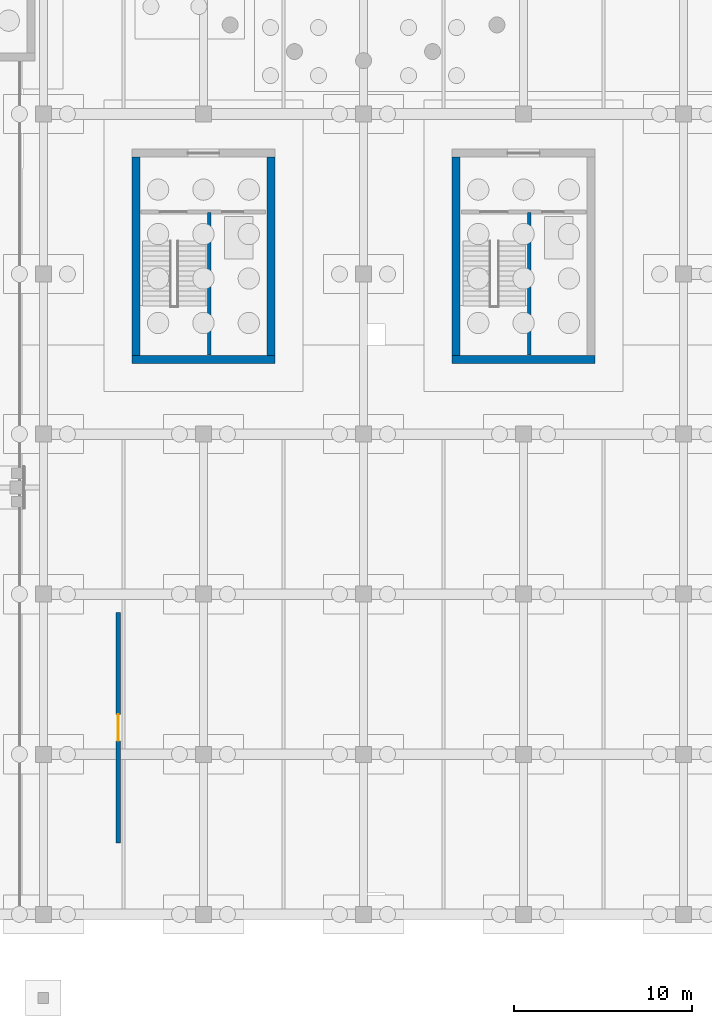
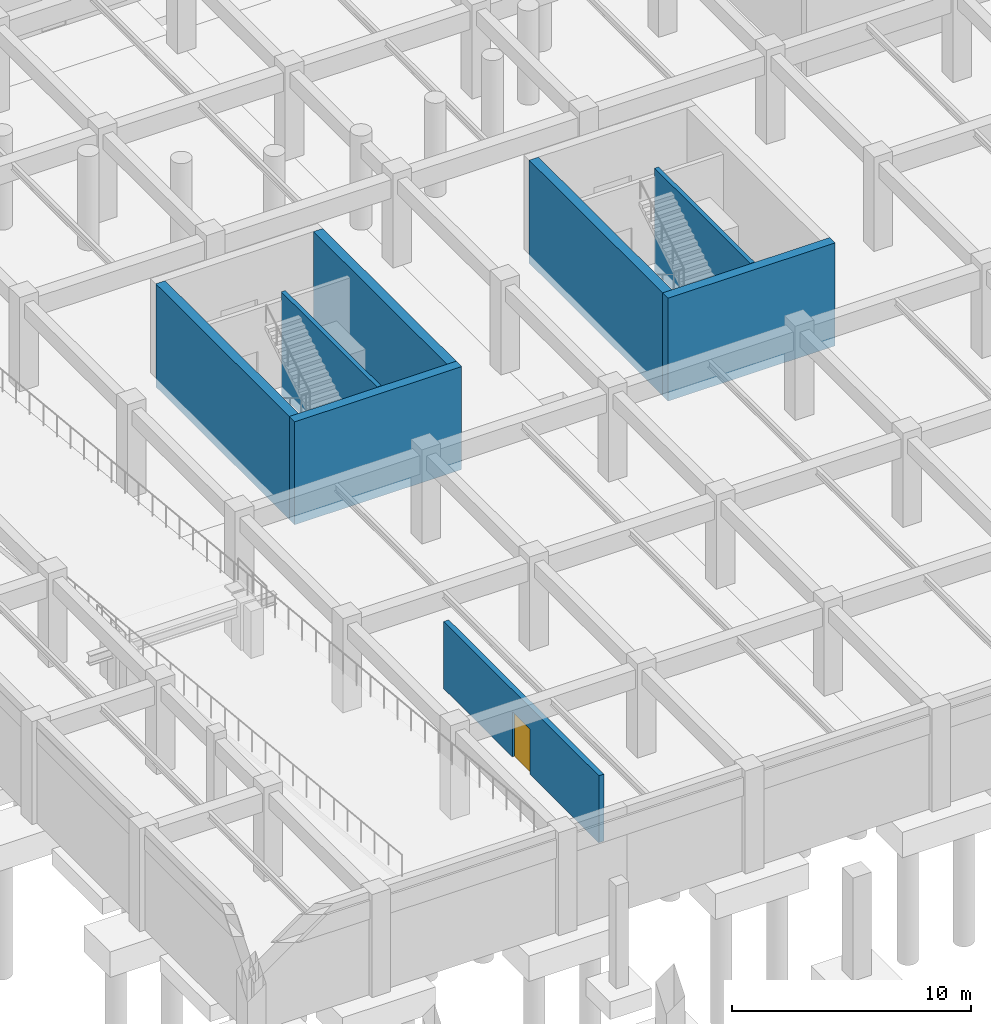
# One storey, part 16 of 27: 8 walls, 1 door, 1 opening.
"""IFC4 building model written with IfcOpenShell, lengths in metres."""

import ifcopenshell
import ifcopenshell.guid

model = None  # the IFC model being written
_history = None  # IfcOwnerHistory: only IFC2X3 demands one
_inside = {}  # id of a spatial element -> (the spatial element, [elements in it])
_under = {}  # id of a project, library or spatial element -> (it, [spatial elements below it])
_declared = {}  # id of a project -> (the project, [libraries it declares])
_typed = {}  # id of a type object -> (the type object, [elements of that type])
_made_of = {}  # id of a material, layer set ... -> (it, [elements and type objects made of it])


def new_model(schema):
    """Start an empty IFC model of exactly this schema.

    Asked for "IFC4X3", IfcOpenShell would pick the latest addendum, in which some entities
    have other attributes; the version numbers below select the first issue.
    IFC2X3 requires an IfcOwnerHistory on every rooted entity: one is made here for all.
    """
    global model, _history
    if schema == "IFC4X3":
        model = ifcopenshell.file(schema_version=(4, 3, 0, 0))
    else:
        model = ifcopenshell.file(schema=schema)
    _inside.clear()
    _under.clear()
    _declared.clear()
    _typed.clear()
    _made_of.clear()
    _history = None
    if model.schema == "IFC2X3":
        org = make("IfcOrganization", Name="unknown")
        user = make(
            "IfcPersonAndOrganization",
            ThePerson=make("IfcPerson", FamilyName="unknown"),
            TheOrganization=org,
        )
        app = make(
            "IfcApplication",
            ApplicationDeveloper=org,
            Version="unknown",
            ApplicationFullName="unknown",
            ApplicationIdentifier="unknown",
        )
        _history = make(
            "IfcOwnerHistory",
            OwningUser=user,
            OwningApplication=app,
            ChangeAction="ADDED",
            CreationDate=0,
        )
    return model


def make(cls, **values):
    """One entity of the class cls with the attributes given. An attribute that is None is left unset."""
    return model.create_entity(
        cls, **{name: value for name, value in values.items() if value is not None}
    )


def rooted(cls, **values):
    """An entity with a GlobalId (a new one), such as an element, a storey or a relation."""
    return make(cls, GlobalId=ifcopenshell.guid.new(), OwnerHistory=_history, **values)


def si_unit(unit_type, name, prefix=None):
    """IfcSIUnit, for example si_unit("LENGTHUNIT", "METRE", prefix="MILLI")."""
    return make("IfcSIUnit", UnitType=unit_type, Prefix=prefix, Name=name)


def assignment(units):
    """IfcUnitAssignment: the units of a project."""
    return None if units is None else make("IfcUnitAssignment", Units=units)


def point(xyz):
    """IfcCartesianPoint."""
    return None if xyz is None else make("IfcCartesianPoint", Coordinates=xyz)


def direction(xyz):
    """IfcDirection."""
    return None if xyz is None else make("IfcDirection", DirectionRatios=xyz)


def frame(location, z_axis=None, x_axis=None):
    """IfcAxis2Placement3D, a coordinate frame: its origin and axes. An axis left out is left unset."""
    return make(
        "IfcAxis2Placement3D",
        Location=point(location),
        Axis=direction(z_axis),
        RefDirection=direction(x_axis),
    )


def frame_2d(location, x_axis=None):
    """IfcAxis2Placement2D, a coordinate frame in the plane: its origin and x axis."""
    return make(
        "IfcAxis2Placement2D", Location=point(location), RefDirection=direction(x_axis)
    )


def origin():
    """The frame at (0, 0, 0) with its axes left unset."""
    return frame((0.0, 0.0, 0.0))


def place(relative_to, where):
    """IfcLocalPlacement: puts the frame where relative to a parent placement (None: the world)."""
    return make(
        "IfcLocalPlacement", PlacementRelTo=relative_to, RelativePlacement=where
    )


def context(
    kind, dimensions, precision=None, world=None, true_north=None, identifier=None
):
    """IfcGeometricRepresentationContext, for example the 3D "Model" context."""
    return make(
        "IfcGeometricRepresentationContext",
        ContextIdentifier=identifier,
        ContextType=kind,
        CoordinateSpaceDimension=dimensions,
        Precision=precision,
        WorldCoordinateSystem=world,
        TrueNorth=true_north,
    )


def subcontext(parent, identifier, kind, view, scale=None):
    """IfcGeometricRepresentationSubContext, for example "Body" below "Model"."""
    return make(
        "IfcGeometricRepresentationSubContext",
        ContextIdentifier=identifier,
        ContextType=kind,
        ParentContext=parent,
        TargetScale=scale,
        TargetView=view,
    )


def project(units=None, contexts=None):
    """IfcProject with its units and contexts."""
    return rooted(
        "IfcProject",
        Name="project",
        RepresentationContexts=contexts,
        UnitsInContext=assignment(units),
    )


def spatial(cls, under=None, at=None, **own):
    """A site, building, storey or space (cls), placed at a placement, below another one or the project."""
    s = rooted(cls, ObjectPlacement=at, **own)
    if under is not None:
        _under.setdefault(under.id(), (under, []))[1].append(s)
    return s


def profile(cls, at=None, kind="AREA", **sizes):
    """A parametric profile (cls). Its sizes go by their IFC names, for example OverallWidth=200.0."""
    return make(cls, ProfileType=kind, Position=at, **sizes)


def rectangle(**sizes):
    """IfcRectangleProfileDef."""
    return profile("IfcRectangleProfileDef", **sizes)


def extrude(swept, where, along, depth):
    """IfcExtrudedAreaSolid: the profile swept, set in the frame where, extruded along a direction by depth."""
    return make(
        "IfcExtrudedAreaSolid",
        SweptArea=swept,
        Position=where,
        ExtrudedDirection=direction(along),
        Depth=depth,
    )


def shape(context_of_items, identifier, shape_type, items):
    """IfcShapeRepresentation: the items that make up one representation, for example the "Body"."""
    return make(
        "IfcShapeRepresentation",
        ContextOfItems=context_of_items,
        RepresentationIdentifier=identifier,
        RepresentationType=shape_type,
        Items=items,
    )


def material(Name=None, Category=None):
    """IfcMaterial."""
    return make("IfcMaterial", Name=Name, Category=Category)


def layer(
    of_material, thickness, ventilated=None, Name=None, Category=None, Priority=None
):
    """IfcMaterialLayer: one layer of a wall or slab, of a material (None: an air gap)."""
    return make(
        "IfcMaterialLayer",
        Material=of_material,
        LayerThickness=thickness,
        IsVentilated=ventilated,
        Name=Name,
        Category=Category,
        Priority=Priority,
    )


def layer_set(layers, Name=None):
    """IfcMaterialLayerSet."""
    return make("IfcMaterialLayerSet", MaterialLayers=layers, LayerSetName=Name)


def made_of(thing, what):
    """Note that an element or type object is made of a material, layer set ...; save() writes the relation."""
    if what is not None:
        _made_of.setdefault(what.id(), (what, []))[1].append(thing)
    return thing


def type_object(cls, material=None, **own):
    """A type object (cls), such as IfcWallType, which elements share."""
    return made_of(rooted(cls, **own), material)


def element(
    cls,
    number,
    at=None,
    inside=None,
    cuts=None,
    type_object=None,
    material=None,
    context=None,
    identifier="Body",
    shape_type=None,
    held_by="IfcProductDefinitionShape",
    body=None,
    shapes=None,
    **own,
):
    """One element of the class cls, such as IfcWall. Its Tag is "e" and its number.

    at: its placement. inside: the storey or other place that contains it. cuts: it is an
    opening in that element (IfcRelVoidsElement). A single representation is given by context,
    identifier, shape_type and body (its items); several are given by shapes. held_by: the class
    of the entity that holds the representations. save() writes the other relations.
    """
    e = rooted(cls, Tag="e%d" % number, ObjectPlacement=at, **own)
    if body is not None:
        shapes = [shape(context, identifier, shape_type, body)]
    if shapes is not None:
        e.Representation = make(held_by, Representations=shapes)
    if inside is not None:
        _inside.setdefault(inside.id(), (inside, []))[1].append(e)
    if cuts is not None:
        rooted(
            "IfcRelVoidsElement", RelatingBuildingElement=cuts, RelatedOpeningElement=e
        )
    if type_object is not None:
        _typed.setdefault(type_object.id(), (type_object, []))[1].append(e)
    return made_of(e, material)


def fill(opening, filler):
    """IfcRelFillsElement: the door or window that sits in an opening."""
    return rooted(
        "IfcRelFillsElement",
        RelatingOpeningElement=opening,
        RelatedBuildingElement=filler,
    )


def aggregate(whole, parts):
    """IfcRelAggregates: a whole, such as a stair, and the parts it consists of."""
    return rooted("IfcRelAggregates", RelatingObject=whole, RelatedObjects=parts)


def save(model, path):
    """Write the relations noted so far, then the file.

    IfcRelAggregates (storeys below a building ...), IfcRelContainedInSpatialStructure (elements
    in a storey), IfcRelDefinesByType, IfcRelAssociatesMaterial and IfcRelDeclares: one each for
    every whole, place, type object, material and project.
    """
    for whole, parts in _under.values():
        aggregate(whole, parts)
    for where, things in _inside.values():
        rooted(
            "IfcRelContainedInSpatialStructure",
            RelatedElements=things,
            RelatingStructure=where,
        )
    for kind, things in _typed.values():
        rooted("IfcRelDefinesByType", RelatedObjects=things, RelatingType=kind)
    for what, things in _made_of.values():
        rooted("IfcRelAssociatesMaterial", RelatedObjects=things, RelatingMaterial=what)
    for by, libraries in _declared.values():
        rooted("IfcRelDeclares", RelatingContext=by, RelatedDefinitions=libraries)
    model.write(path)


model = new_model("IFC4")

# Units and contexts
model_context = context("Model", 3, precision=1e-05, world=origin(), true_north=direction((0.0, 1.0)))
body_context = subcontext(model_context, "Body", "Model", "MODEL_VIEW")
ifc_project = project(units=[si_unit("LENGTHUNIT", "METRE"), si_unit("AREAUNIT", "SQUARE_METRE"), si_unit("VOLUMEUNIT", "CUBIC_METRE"), si_unit("PLANEANGLEUNIT", "RADIAN"), si_unit("MASSUNIT", "GRAM", prefix="KILO")], contexts=[model_context])

# Site, building, storey
site_placement = place(None, origin())
site = spatial("IfcSite", under=ifc_project, at=site_placement, CompositionType="ELEMENT")
building_placement = place(site_placement, origin())
building = spatial("IfcBuilding", under=site, at=building_placement, Name="Dornveld Trade and Exhibition Forum", CompositionType="ELEMENT")
storey_placement = place(building_placement, frame((0.0, 0.0, -4.800048828125)))
storey = spatial("IfcBuildingStorey", under=building, at=storey_placement, Name="B1", CompositionType="ELEMENT", Elevation=-4.800048828125)

# Walls
ifc_material_1 = material(Name="Concrete C40/50", Category="concrete")
ifc_layer_1 = layer(ifc_material_1, 0.449951171875)
ifc_layer_set_1 = layer_set([ifc_layer_1], Name="Concrete C40/50")
wall_type_1 = type_object("IfcWallType", Name="WL-CORE-450", PredefinedType="SHEAR", material=ifc_layer_set_1)
wall_1_placement = place(storey_placement, frame((103.97509765625, 49.199951171875, -0.449951171875), z_axis=(0.0, 0.0, 1.0), x_axis=(1.0, 0.0, 0.0)))
element("IfcWall", 1, at=wall_1_placement, inside=storey, type_object=wall_type_1, Name="CORE-06 B1 shear wall S", PredefinedType="SHEAR", context=body_context, shape_type="SweptSolid", body=[
    extrude(rectangle(XDim=8.0498046875, YDim=0.449951171875, at=frame_2d((4.02490234375, 0.0))), origin(), (0.0, 0.0, 1.0), 5.25),
])
for number, where, z_axis, x_axis, name in (
    (2, (104.199951171875, 49.425048828125, -0.449951171875), (0.0, 0.0, 1.0), (0.0, 1.0, 0.0), "CORE-06 B1 shear wall W"),
    (3, (111.800048828125, 49.425048828125, -0.449951171875), (0.0, 0.0, 1.0), (0.0, 1.0, 0.0), "CORE-06 B1 shear wall E"),
):
    element("IfcWall", number, at=place(storey_placement, frame(where, z_axis=z_axis, x_axis=x_axis)), inside=storey, type_object=wall_type_1, Name=name, PredefinedType="SHEAR", context=body_context, shape_type="SweptSolid", body=[
        extrude(rectangle(XDim=11.14990234375, YDim=0.449951171875, at=frame_2d((5.574951171875, 0.0))), origin(), (0.0, 0.0, 1.0), 5.25),
    ])
wall_2_placement = place(storey_placement, frame((121.97509765625, 49.199951171875, -0.449951171875), z_axis=(0.0, 0.0, 1.0), x_axis=(1.0, 0.0, 0.0)))
element("IfcWall", 4, at=wall_2_placement, inside=storey, type_object=wall_type_1, Name="CORE-07 B1 shear wall S", PredefinedType="SHEAR", context=body_context, shape_type="SweptSolid", body=[
    extrude(rectangle(XDim=8.0498046875, YDim=0.449951171875, at=frame_2d((4.02490234375, 0.0))), origin(), (0.0, 0.0, 1.0), 5.25),
])
wall_3_placement = place(storey_placement, frame((122.199951171875, 49.425048828125, -0.449951171875), z_axis=(0.0, 0.0, 1.0), x_axis=(0.0, 1.0, 0.0)))
element("IfcWall", 5, at=wall_3_placement, inside=storey, type_object=wall_type_1, Name="CORE-07 B1 shear wall W", PredefinedType="SHEAR", context=body_context, shape_type="SweptSolid", body=[
    extrude(rectangle(XDim=11.14990234375, YDim=0.449951171875, at=frame_2d((5.574951171875, 0.0))), origin(), (0.0, 0.0, 1.0), 5.25),
])

# Wall, opening, door
ifc_material_2 = material(Name="Acoustic twin-stud gypsum and mineral wool", Category="gypsum")
ifc_layer_2 = layer(ifc_material_2, 0.25)
ifc_layer_set_2 = layer_set([ifc_layer_2], Name="Acoustic twin-stud gypsum and mineral wool")
wall_type_2 = type_object("IfcWallType", Name="WL-INT-AC250", PredefinedType="PARTITIONING", material=ifc_layer_set_2)
wall_4_placement = place(storey_placement, frame((103.199951171875, 22.02001953125, 0.0), z_axis=(0.0, 0.0, 1.0), x_axis=(0.0, 1.0, 0.0)))
wall_4 = element("IfcWall", 6, at=wall_4_placement, inside=storey, type_object=wall_type_2, Name="B1 interior partition 87", PredefinedType="PARTITIONING", context=body_context, shape_type="SweptSolid", body=[
    extrude(rectangle(XDim=12.9599609375, YDim=0.25, at=frame_2d((6.47998046875, 0.0))), origin(), (0.0, 0.0, 1.0), 3.420166015625),
])
opening_placement = place(wall_4_placement, frame((5.72998046875, 0.0, 0.0)))
opening = element("IfcOpeningElement", 7, at=opening_placement, cuts=wall_4, Name="Opening PD-02-056", PredefinedType="OPENING", context=body_context, shape_type="SweptSolid", body=[
    extrude(rectangle(XDim=1.5, YDim=2.300048828125, at=frame_2d((0.75, 1.14990234375))), frame((0.0, 0.135009765625, 0.0), z_axis=(0.0, -1.0, 0.0), x_axis=(1.0, 0.0, 0.0)), (0.0, 0.0, 1.0), 0.27001953125),
])
ifc_material_3 = material(Name="Galvanised steel plant double fire door", Category="steel")
door_type = type_object("IfcDoorType", Name="DR-PLT-150x230", OperationType="NOTDEFINED", PredefinedType="DOOR", material=ifc_material_3)
door_placement = place(opening_placement, origin())
door = element("IfcDoor", 8, at=door_placement, inside=storey, type_object=door_type, Name="B1 interior room door 56", OperationType="SINGLE_SWING_RIGHT", OverallHeight=2.300048828125, OverallWidth=1.5, PredefinedType="DOOR", context=body_context, shape_type="SweptSolid", body=[
    extrude(rectangle(XDim=1.5, YDim=2.300048828125, at=frame_2d((0.75, 1.14990234375))), frame((0.0, 0.02490234375, 0.0), z_axis=(0.0, -1.0, 0.0), x_axis=(1.0, 0.0, 0.0)), (0.0, 0.0, 1.0), 0.050048828125),
])
fill(opening, door)

# Walls
ifc_material_4 = material(Name="Concrete C40/50", Category="concrete")
ifc_layer_3 = layer(ifc_material_4, 0.199951171875)
ifc_layer_set_3 = layer_set([ifc_layer_3], Name="Concrete C40/50")
wall_type_3 = type_object("IfcWallType", Name="WL-INT-SHAFT200", PredefinedType="SOLIDWALL", material=ifc_layer_set_3)
for number, where, z_axis, x_axis, name in (
    (9, (108.320068359375, 49.449951171875, -0.449951171875), (0.0, 0.0, 1.0), (0.0, 1.0, 0.0), "CORE-06 B1 lift-stair structural shaft wall"),
    (10, (126.320068359375, 49.449951171875, -0.449951171875), (0.0, 0.0, 1.0), (0.0, 1.0, 0.0), "CORE-07 B1 lift-stair structural shaft wall"),
):
    element("IfcWall", number, at=place(storey_placement, frame(where, z_axis=z_axis, x_axis=x_axis)), inside=storey, type_object=wall_type_3, Name=name, PredefinedType="SOLIDWALL", context=body_context, shape_type="SweptSolid", body=[
        extrude(rectangle(XDim=8.0, YDim=0.199951171875, at=frame_2d((4.0, 0.0))), origin(), (0.0, 0.0, 1.0), 5.25),
    ])

save(model, "model.ifc")
